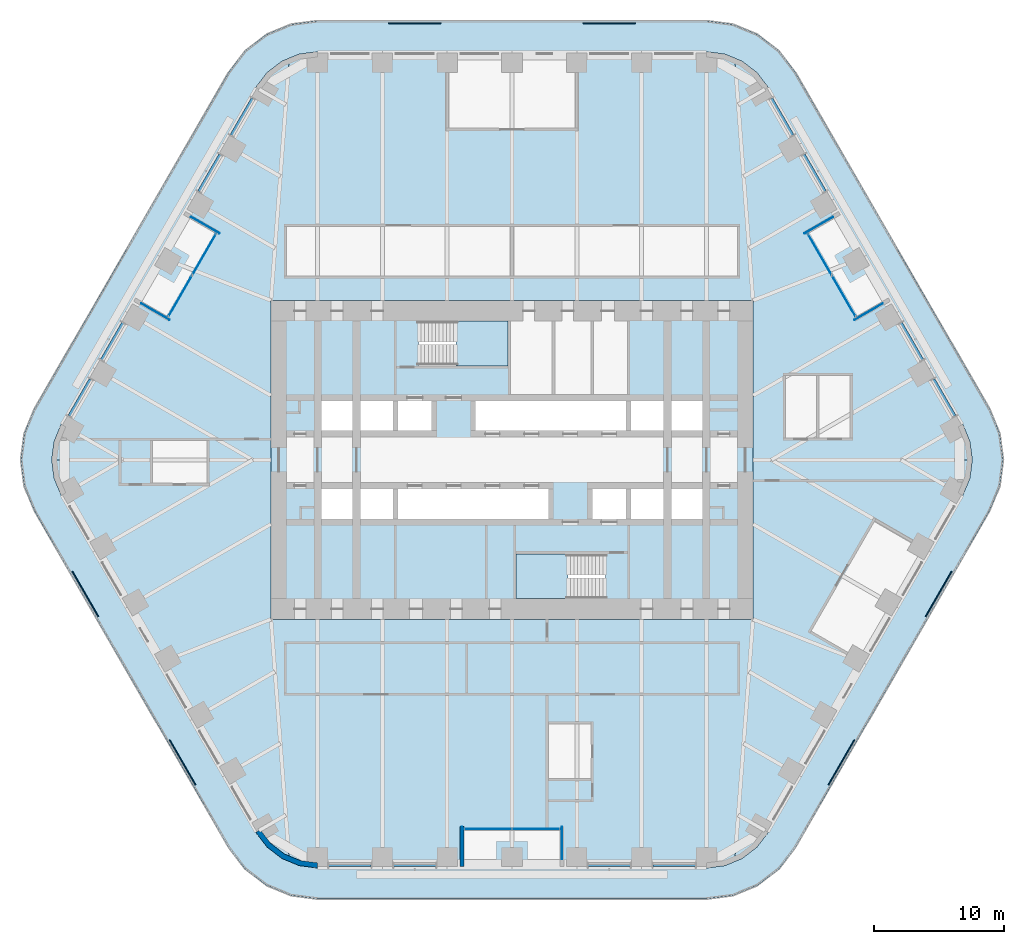
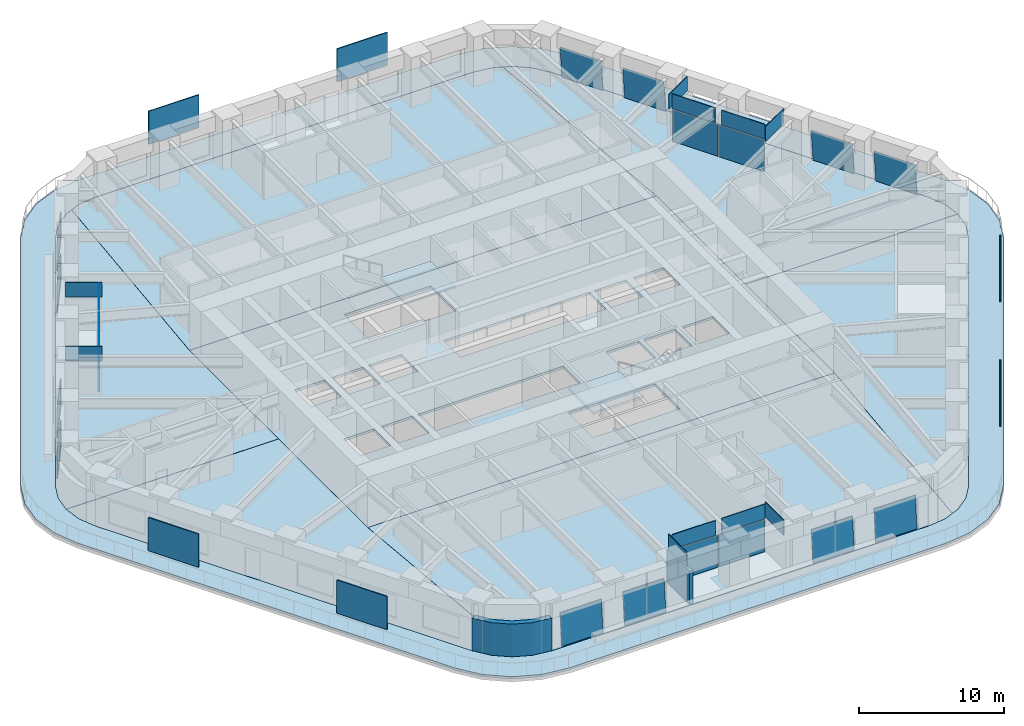
# One storey, part 16 of 24: 36 plates, 10 slabs, 2 walls, 17 elements without a shape of their own.
"""IFC4 building model written with IfcOpenShell, lengths in metres."""

from ifc_helpers import new_model, si_unit, direction, frame, frame_2d, origin, origin_2d, place, context, subcontext, project, spatial, polyline, rectangle, outline, extrude, material, layer, layer_set, type_object, element, aggregate, save


model = new_model("IFC4")

# Units and contexts
model_context = context("Model", 3, precision=1e-05, world=origin(), true_north=direction((0.0, 1.0)))
body_context = subcontext(model_context, "Body", "Model", "MODEL_VIEW")
ifc_project = project(units=[si_unit("LENGTHUNIT", "METRE"), si_unit("AREAUNIT", "SQUARE_METRE"), si_unit("VOLUMEUNIT", "CUBIC_METRE"), si_unit("PLANEANGLEUNIT", "RADIAN"), si_unit("MASSUNIT", "GRAM", prefix="KILO")], contexts=[model_context])

# Site, building, storey
site_placement = place(None, origin())
site = spatial("IfcSite", under=ifc_project, at=site_placement, CompositionType="ELEMENT")
building_placement = place(site_placement, origin())
building = spatial("IfcBuilding", under=site, at=building_placement, Name="Tarfa Lantern Tower", CompositionType="ELEMENT")
storey_placement = place(building_placement, frame((0.0, 0.0, 157.300048828125)))
storey = spatial("IfcBuildingStorey", under=building, at=storey_placement, Name="L35", CompositionType="ELEMENT", Elevation=157.300048828125)

# Slab
ifc_material_1 = material(Name="Concrete C40/50", Category="concrete")
ifc_layer_1 = layer(ifc_material_1, 0.199951171875)
ifc_layer_set_1 = layer_set([ifc_layer_1], Name="BS2 BALCONY SLAB 200")
slab_type_1 = type_object("IfcSlabType", Name="BS2 BALCONY SLAB 200", PredefinedType="FLOOR", material=ifc_layer_set_1)
slab_1_placement = place(storey_placement, frame((0.0, 0.0, -0.199951171875)))
element("IfcSlab", 1, at=slab_1_placement, inside=storey, type_object=slab_type_1, Name="Balcony L35", PredefinedType="FLOOR", context=body_context, shape_type="SweptSolid", body=[
    extrude(outline(polyline([(36.86376953125, 3.949951171875), (21.852783203125, 29.949951171875), (20.59716796875, 31.586181640625), (18.961181640625, 32.841552734375), (17.0556640625, 33.630859375), (15.010986328125, 33.89990234375), (-15.010986328125, 33.89990234375), (-17.0556640625, 33.630859375), (-18.961181640625, 32.841552734375), (-20.59716796875, 31.586181640625), (-21.852783203125, 29.949951171875), (-36.86376953125, 3.949951171875), (-37.653076171875, 2.044677734375), (-37.922119140625, 0.0), (-37.653076171875, -2.044677734375), (-36.86376953125, -3.949951171875), (-21.852783203125, -29.949951171875), (-20.59716796875, -31.586181640625), (-18.961181640625, -32.841552734375), (-17.0556640625, -33.630859375), (-15.010986328125, -33.89990234375), (15.010986328125, -33.89990234375), (17.0556640625, -33.630859375), (18.961181640625, -32.841552734375), (20.59716796875, -31.586181640625), (21.852783203125, -29.949951171875), (36.86376953125, -3.949951171875), (37.653076171875, -2.044677734375), (37.922119140625, 0.0), (37.653076171875, 2.044677734375), (36.86376953125, 3.949951171875)]), holes=[polyline([(34.785400390625, 2.75), (19.774169921875, 28.75), (18.900146484375, 29.88916015625), (17.760986328125, 30.76318359375), (16.4345703125, 31.3125), (15.010986328125, 31.5), (-15.010986328125, 31.5), (-16.4345703125, 31.3125), (-17.760986328125, 30.76318359375), (-18.900146484375, 29.88916015625), (-19.774169921875, 28.75), (-34.785400390625, 2.75), (-35.334716796875, 1.423583984375), (-35.522216796875, 0.0), (-35.334716796875, -1.423583984375), (-34.785400390625, -2.75), (-19.774169921875, -28.75), (-18.900146484375, -29.88916015625), (-17.760986328125, -30.76318359375), (-16.4345703125, -31.3125), (-15.010986328125, -31.5), (15.010986328125, -31.5), (16.4345703125, -31.3125), (17.760986328125, -30.76318359375), (18.900146484375, -29.88916015625), (19.774169921875, -28.75), (34.785400390625, -2.75), (35.334716796875, -1.423583984375), (35.522216796875, 0.0), (35.334716796875, 1.423583984375), (34.785400390625, 2.75)])]), origin(), (0.0, 0.0, 1.0), 0.199951171875),
])

# Curtain wall, plate
ifc_material_2 = material(Name="Aluminium framed curtain wall", Category="aluminium")
curtain_wall_type_1 = type_object("IfcCurtainWallType", Name="CW2 CANTED GLAZING MID ZONE 2750", PredefinedType="USERDEFINED", material=ifc_material_2)
curtain_wall_1_placement = place(storey_placement, origin())
curtain_wall_1 = element("IfcCurtainWall", 2, at=curtain_wall_1_placement, inside=storey, type_object=curtain_wall_type_1, Name="CW2 NE L35", ObjectType="CURTAIN WALL", PredefinedType="USERDEFINED")
ifc_material_3 = material(Name="Laminated double glazing", Category="glass")
ifc_layer_2 = layer(ifc_material_3, 0.028076171875)
ifc_layer_set_2 = layer_set([ifc_layer_2], Name="CWP1 DOUBLE GLAZED PANEL")
plate_type_1 = type_object("IfcPlateType", Name="CWP1 DOUBLE GLAZED PANEL", PredefinedType="CURTAIN_PANEL", material=ifc_layer_set_2)
plate_1_placement = place(storey_placement, frame((34.266357421875, 3.44921875, 0.0), z_axis=(0.862441677575, 0.497990996223, 0.09055009919), x_axis=(-0.500045231271, 0.865999287923, 0.0)))
plate_1 = element("IfcPlate", 3, at=plate_1_placement, type_object=plate_type_1, Name="CW2 panel 1.1", PredefinedType="CURTAIN_PANEL", context=body_context, shape_type="SweptSolid", body=[
    extrude(outline(polyline([(0.0, 0.0), (3.2736296403891254, -2.7755575615628914e-17), (3.273639290369484, 2.696134580088432), (9.64998035858606e-06, 2.696134580088432), (0.0, 0.0)])), origin(), (0.0, 0.0, -1.0), 0.028076171875),
])
aggregate(curtain_wall_1, [plate_1])

curtain_wall_2_placement = place(storey_placement, origin())
curtain_wall_2 = element("IfcCurtainWall", 4, at=curtain_wall_2_placement, inside=storey, type_object=curtain_wall_type_1, Name="CW2 NE L35", ObjectType="CURTAIN WALL", PredefinedType="USERDEFINED")
plate_2_placement = place(storey_placement, frame((31.764404296875, 7.782470703125, 0.0), z_axis=(0.862479387985, 0.497932752669, 0.090511209914), x_axis=(-0.499985201727, 0.866033947398, 2.910741e-06)))
plate_2 = element("IfcPlate", 5, at=plate_2_placement, type_object=plate_type_1, Name="CW2 panel 1.1", PredefinedType="CURTAIN_PANEL", context=body_context, shape_type="SweptSolid", body=[
    extrude(outline(polyline([(0.0, 0.0), (3.2738410665798376, 0.0), (3.273719542684435, 2.696115441250439), (5.428042382078573e-07, 2.696134578050012), (0.0, 0.0)])), origin(), (0.0, 0.0, -1.0), 0.028076171875),
])
aggregate(curtain_wall_2, [plate_2])

curtain_wall_3_placement = place(storey_placement, origin())
curtain_wall_3 = element("IfcCurtainWall", 6, at=curtain_wall_3_placement, inside=storey, type_object=curtain_wall_type_1, Name="CW2 NEB L35", ObjectType="CURTAIN WALL", PredefinedType="USERDEFINED")
plate_3_placement = place(storey_placement, frame((24.2587890625, 20.782470703125, 0.0), z_axis=(0.862492405459, 0.49790313323, 0.090550099086), x_axis=(-0.499957005835, 0.866050225054, 0.0)))
plate_3 = element("IfcPlate", 7, at=plate_3_placement, type_object=plate_type_1, Name="CW2 panel 1.1", PredefinedType="CURTAIN_PANEL", context=body_context, shape_type="SweptSolid", body=[
    extrude(outline(polyline([(0.0, 0.0), (3.273719001629088, 0.0), (3.2737037805661293, 2.6961345800627363), (-1.5221062958495346e-05, 2.6961345800627363), (0.0, 0.0)])), origin(), (0.0, 0.0, -1.0), 0.028076171875),
])
aggregate(curtain_wall_3, [plate_3])

curtain_wall_4_placement = place(storey_placement, origin())
curtain_wall_4 = element("IfcCurtainWall", 8, at=curtain_wall_4_placement, inside=storey, type_object=curtain_wall_type_1, Name="CW2 NEB L35", ObjectType="CURTAIN WALL", PredefinedType="USERDEFINED")
plate_4_placement = place(storey_placement, frame((21.757080078125, 25.11572265625, 0.0), z_axis=(0.862460247027, 0.49795883547, 0.09055009926), x_axis=(-0.500012937857, 0.86601793398, 0.0)))
plate_4 = element("IfcPlate", 9, at=plate_4_placement, type_object=plate_type_1, Name="CW2 panel 1.1", PredefinedType="CURTAIN_PANEL", context=body_context, shape_type="SweptSolid", body=[
    extrude(outline(polyline([(0.0, 0.0), (3.2738410682727324, -2.7755575615628914e-17), (3.27384161446276, 2.6961345801056464), (5.461900275667914e-07, 2.6961345801056464), (0.0, 0.0)])), origin(), (0.0, 0.0, -1.0), 0.028076171875),
])
aggregate(curtain_wall_4, [plate_4])

# Curtain wall, plates
curtain_wall_type_2 = type_object("IfcCurtainWallType", Name="CW10 LOGGIA GLAZING 2750", PredefinedType="USERDEFINED", material=ifc_material_2)
curtain_wall_5_placement = place(storey_placement, origin())
curtain_wall_5 = element("IfcCurtainWall", 10, at=curtain_wall_5_placement, inside=storey, type_object=curtain_wall_type_2, Name="CW10 NEL L35", ObjectType="CURTAIN WALL", PredefinedType="USERDEFINED")
plate_5_placement = place(storey_placement, frame((25.599609375, 12.660400390625, 0.0), z_axis=(0.0, 0.0, 1.0), x_axis=(-0.5, 0.866025403784, 0.0)))
plate_5 = element("IfcPlate", 11, at=plate_5_placement, type_object=plate_type_1, Name="CW10 panel 1.1", PredefinedType="CURTAIN_PANEL", context=body_context, shape_type="SweptSolid", body=[
    extrude(rectangle(XDim=3.606201171875, YDim=0.028076171875, at=origin_2d()), origin(), (0.0, 0.0, 1.0), 2.68505859375),
])
plate_6_placement = place(storey_placement, frame((23.763916015625, 15.839599609375, 0.0), z_axis=(0.0, 0.0, 1.0), x_axis=(-0.5, 0.866025403784, 0.0)))
plate_6 = element("IfcPlate", 12, at=plate_6_placement, type_object=plate_type_1, Name="CW10 panel 2.1", PredefinedType="CURTAIN_PANEL", context=body_context, shape_type="SweptSolid", body=[
    extrude(rectangle(XDim=3.606201171875, YDim=0.028076171875, at=origin_2d()), origin(), (0.0, 0.0, 1.0), 2.68505859375),
])
aggregate(curtain_wall_5, [plate_5, plate_6])

# Curtain wall, plate
curtain_wall_6_placement = place(storey_placement, origin())
curtain_wall_6 = element("IfcCurtainWall", 13, at=curtain_wall_6_placement, inside=storey, type_object=curtain_wall_type_1, Name="CW2 NW L35", ObjectType="CURTAIN WALL", PredefinedType="USERDEFINED")
plate_7_placement = place(storey_placement, frame((-20.1201171875, 27.950927734375, 0.0), z_axis=(-0.862460247027, 0.49795883547, 0.09055009926), x_axis=(-0.500012937857, -0.86601793398, 0.0)))
plate_7 = element("IfcPlate", 14, at=plate_7_placement, type_object=plate_type_1, Name="CW2 panel 1.1", PredefinedType="CURTAIN_PANEL", context=body_context, shape_type="SweptSolid", body=[
    extrude(outline(polyline([(0.0, 0.0), (3.2738410682727324, 2.7755575615628914e-17), (3.273840522082705, 2.6961345801056464), (-5.461900275667914e-07, 2.6961345801056464), (0.0, 0.0)])), origin(), (0.0, 0.0, -1.0), 0.028076171875),
])
aggregate(curtain_wall_6, [plate_7])

curtain_wall_7_placement = place(storey_placement, origin())
curtain_wall_7 = element("IfcCurtainWall", 15, at=curtain_wall_7_placement, inside=storey, type_object=curtain_wall_type_1, Name="CW2 NW L35", ObjectType="CURTAIN WALL", PredefinedType="USERDEFINED")
plate_8_placement = place(storey_placement, frame((-22.6220703125, 23.61767578125, 0.0), z_axis=(-0.862492405459, 0.49790313323, 0.090550099086), x_axis=(-0.499957005835, -0.866050225054, 0.0)))
plate_8 = element("IfcPlate", 16, at=plate_8_placement, type_object=plate_type_1, Name="CW2 panel 1.1", PredefinedType="CURTAIN_PANEL", context=body_context, shape_type="SweptSolid", body=[
    extrude(outline(polyline([(0.0, 0.0), (3.273719001629088, 0.0), (3.2737342226920463, 2.6961345800627363), (1.5221062958495346e-05, 2.6961345800627363), (0.0, 0.0)])), origin(), (0.0, 0.0, -1.0), 0.028076171875),
])
aggregate(curtain_wall_7, [plate_8])

curtain_wall_8_placement = place(storey_placement, origin())
curtain_wall_8 = element("IfcCurtainWall", 17, at=curtain_wall_8_placement, inside=storey, type_object=curtain_wall_type_1, Name="CW2 NWB L35", ObjectType="CURTAIN WALL", PredefinedType="USERDEFINED")
plate_9_placement = place(storey_placement, frame((-30.12744140625, 10.61767578125, 0.0), z_axis=(-0.862479387985, 0.497932752669, 0.090511209914), x_axis=(-0.499985201727, -0.866033947398, -2.910741e-06)))
plate_9 = element("IfcPlate", 18, at=plate_9_placement, type_object=plate_type_1, Name="CW2 panel 1.1", PredefinedType="CURTAIN_PANEL", context=body_context, shape_type="SweptSolid", body=[
    extrude(outline(polyline([(0.0, 0.0), (3.2738410665798376, 0.0), (3.2738405237755996, 2.696134578050012), (0.00012152389540222507, 2.6961154412504387), (0.0, 0.0)])), origin(), (0.0, 0.0, -1.0), 0.028076171875),
])
aggregate(curtain_wall_8, [plate_9])

curtain_wall_9_placement = place(storey_placement, origin())
curtain_wall_9 = element("IfcCurtainWall", 19, at=curtain_wall_9_placement, inside=storey, type_object=curtain_wall_type_1, Name="CW2 NWB L35", ObjectType="CURTAIN WALL", PredefinedType="USERDEFINED")
plate_10_placement = place(storey_placement, frame((-32.62939453125, 6.2841796875, 0.0), z_axis=(-0.862441677575, 0.497990996223, 0.09055009919), x_axis=(-0.500045231271, -0.865999287923, 0.0)))
plate_10 = element("IfcPlate", 20, at=plate_10_placement, type_object=plate_type_1, Name="CW2 panel 1.1", PredefinedType="CURTAIN_PANEL", context=body_context, shape_type="SweptSolid", body=[
    extrude(outline(polyline([(0.0, 0.0), (3.2736296403891254, 2.7755575615628914e-17), (3.273619990408767, 2.696134580088432), (-9.64998035858606e-06, 2.696134580088432), (0.0, 0.0)])), origin(), (0.0, 0.0, -1.0), 0.028076171875),
])
aggregate(curtain_wall_9, [plate_10])

# Curtain wall, plates
curtain_wall_10_placement = place(storey_placement, origin())
curtain_wall_10 = element("IfcCurtainWall", 21, at=curtain_wall_10_placement, inside=storey, type_object=curtain_wall_type_2, Name="CW10 NWL L35", ObjectType="CURTAIN WALL", PredefinedType="USERDEFINED")
plate_11_placement = place(storey_placement, frame((-23.763916015625, 15.839599609375, 0.0), z_axis=(0.0, 0.0, 1.0), x_axis=(-0.5, -0.866025403784, 0.0)))
plate_11 = element("IfcPlate", 22, at=plate_11_placement, type_object=plate_type_1, Name="CW10 panel 1.1", PredefinedType="CURTAIN_PANEL", context=body_context, shape_type="SweptSolid", body=[
    extrude(rectangle(XDim=3.606201171875, YDim=0.028076171875, at=origin_2d()), origin(), (0.0, 0.0, 1.0), 2.68505859375),
])
plate_12_placement = place(storey_placement, frame((-25.599609375, 12.660400390625, 0.0), z_axis=(0.0, 0.0, 1.0), x_axis=(-0.5, -0.866025403784, 0.0)))
plate_12 = element("IfcPlate", 23, at=plate_12_placement, type_object=plate_type_1, Name="CW10 panel 2.1", PredefinedType="CURTAIN_PANEL", context=body_context, shape_type="SweptSolid", body=[
    extrude(rectangle(XDim=3.606201171875, YDim=0.028076171875, at=origin_2d()), origin(), (0.0, 0.0, 1.0), 2.68505859375),
])
aggregate(curtain_wall_10, [plate_11, plate_12])

# Curtain wall, plate
curtain_wall_11_placement = place(storey_placement, origin())
curtain_wall_11 = element("IfcCurtainWall", 24, at=curtain_wall_11_placement, inside=storey, type_object=curtain_wall_type_1, Name="CW2 S L35", ObjectType="CURTAIN WALL", PredefinedType="USERDEFINED")
plate_13_placement = place(storey_placement, frame((-14.14599609375, -31.39990234375, 0.0), z_axis=(0.0, -0.995899883883, 0.090462264412), x_axis=(1.0, 0.0, 0.0)))
plate_13 = element("IfcPlate", 25, at=plate_13_placement, type_object=plate_type_1, Name="CW2 panel 1.1", PredefinedType="CURTAIN_PANEL", context=body_context, shape_type="SweptSolid", body=[
    extrude(outline(polyline([(0.0, 0.0), (3.273681640625, 0.0), (3.273681640625, 2.6961129699923947), (0.0, 2.6961129699923947), (0.0, 0.0)])), origin(), (0.0, 0.0, -1.0), 0.028076171875),
])
aggregate(curtain_wall_11, [plate_13])

curtain_wall_12_placement = place(storey_placement, origin())
curtain_wall_12 = element("IfcCurtainWall", 26, at=curtain_wall_12_placement, inside=storey, type_object=curtain_wall_type_1, Name="CW2 S L35", ObjectType="CURTAIN WALL", PredefinedType="USERDEFINED")
plate_14_placement = place(storey_placement, frame((-9.142333984375, -31.39990234375, 0.0), z_axis=(0.0, -0.995899883883, 0.090462264412), x_axis=(1.0, 0.0, 0.0)))
plate_14 = element("IfcPlate", 27, at=plate_14_placement, type_object=plate_type_1, Name="CW2 panel 1.1", PredefinedType="CURTAIN_PANEL", context=body_context, shape_type="SweptSolid", body=[
    extrude(outline(polyline([(0.0, 0.0), (3.273681640625, 0.0), (3.273681640625, 2.6961129699923947), (0.0, 2.6961129699923947), (0.0, 0.0)])), origin(), (0.0, 0.0, -1.0), 0.028076171875),
])
aggregate(curtain_wall_12, [plate_14])

curtain_wall_13_placement = place(storey_placement, origin())
curtain_wall_13 = element("IfcCurtainWall", 28, at=curtain_wall_13_placement, inside=storey, type_object=curtain_wall_type_1, Name="CW2 SB L35", ObjectType="CURTAIN WALL", PredefinedType="USERDEFINED")
plate_15_placement = place(storey_placement, frame((5.86865234375, -31.39990234375, 0.0), z_axis=(0.0, -0.995899883883, 0.090462264412), x_axis=(1.0, 0.0, 0.0)))
plate_15 = element("IfcPlate", 29, at=plate_15_placement, type_object=plate_type_1, Name="CW2 panel 1.1", PredefinedType="CURTAIN_PANEL", context=body_context, shape_type="SweptSolid", body=[
    extrude(outline(polyline([(0.0, 0.0), (3.273681640625, 0.0), (3.273681640625, 2.6961129699923947), (0.0, 2.6961129699923947), (0.0, 0.0)])), origin(), (0.0, 0.0, -1.0), 0.028076171875),
])
aggregate(curtain_wall_13, [plate_15])

curtain_wall_14_placement = place(storey_placement, origin())
curtain_wall_14 = element("IfcCurtainWall", 30, at=curtain_wall_14_placement, inside=storey, type_object=curtain_wall_type_1, Name="CW2 SB L35", ObjectType="CURTAIN WALL", PredefinedType="USERDEFINED")
plate_16_placement = place(storey_placement, frame((10.872314453125, -31.39990234375, 0.0), z_axis=(0.0, -0.995899883883, 0.090462264412), x_axis=(1.0, 0.0, 0.0)))
plate_16 = element("IfcPlate", 31, at=plate_16_placement, type_object=plate_type_1, Name="CW2 panel 1.1", PredefinedType="CURTAIN_PANEL", context=body_context, shape_type="SweptSolid", body=[
    extrude(outline(polyline([(0.0, 0.0), (3.273681640625, 0.0), (3.273681640625, 2.6961129699923947), (0.0, 2.6961129699923947), (0.0, 0.0)])), origin(), (0.0, 0.0, -1.0), 0.028076171875),
])
aggregate(curtain_wall_14, [plate_16])

# Curtain wall, plates
curtain_wall_15_placement = place(storey_placement, origin())
curtain_wall_15 = element("IfcCurtainWall", 32, at=curtain_wall_15_placement, inside=storey, type_object=curtain_wall_type_2, Name="CW10 SL L35", ObjectType="CURTAIN WALL", PredefinedType="USERDEFINED")
plate_17_placement = place(storey_placement, frame((-1.835693359375, -28.5, 0.0), z_axis=(0.0, 0.0, 1.0), x_axis=(1.0, 0.0, 0.0)))
plate_17 = element("IfcPlate", 33, at=plate_17_placement, type_object=plate_type_1, Name="CW10 panel 1.1", PredefinedType="CURTAIN_PANEL", context=body_context, shape_type="SweptSolid", body=[
    extrude(rectangle(XDim=3.606201171875, YDim=0.028076171875, at=origin_2d()), origin(), (0.0, 0.0, 1.0), 2.68505859375),
])
plate_18_placement = place(storey_placement, frame((1.835693359375, -28.5, 0.0), z_axis=(0.0, 0.0, 1.0), x_axis=(1.0, 0.0, 0.0)))
plate_18 = element("IfcPlate", 34, at=plate_18_placement, type_object=plate_type_1, Name="CW10 panel 2.1", PredefinedType="CURTAIN_PANEL", context=body_context, shape_type="SweptSolid", body=[
    extrude(rectangle(XDim=3.606201171875, YDim=0.028076171875, at=origin_2d()), origin(), (0.0, 0.0, 1.0), 2.68505859375),
])
aggregate(curtain_wall_15, [plate_17, plate_18])

# Slabs
ifc_layer_3 = layer(ifc_material_1, 0.199951171875)
ifc_layer_set_3 = layer_set([ifc_layer_3], Name="FS1 FLOOR SLAB 200")
slab_type_2 = type_object("IfcSlabType", Name="FS1 FLOOR SLAB 200", PredefinedType="FLOOR", material=ifc_layer_set_3)
slab_2_placement = place(storey_placement, frame((0.0, 0.0, -0.199951171875)))
element("IfcSlab", 35, at=slab_2_placement, inside=storey, type_object=slab_type_2, Name="Floor slab L35", PredefinedType="FLOOR", context=body_context, shape_type="SweptSolid", body=[
    extrude(outline(polyline([(-18.60009765625, -12.300048828125), (18.60009765625, -12.300048828125), (18.60009765625, 12.300048828125), (-18.60009765625, 12.300048828125), (-18.60009765625, -12.300048828125)]), holes=[polyline([(-14.699951171875, 2.25), (-12.300048828125, 2.25), (-12.300048828125, 4.550048828125), (-14.699951171875, 4.550048828125), (-14.699951171875, 2.25)]), polyline([(-11.699951171875, 2.25), (-9.199951171875, 2.25), (-9.199951171875, 4.550048828125), (-11.699951171875, 4.550048828125), (-11.699951171875, 2.25)]), polyline([(-8.800048828125, 2.25), (-6.199951171875, 2.25), (-6.199951171875, 4.550048828125), (-8.800048828125, 4.550048828125), (-8.800048828125, 2.25)]), polyline([(-2.800048828125, 2.25), (8.800048828125, 2.25), (8.800048828125, 4.550048828125), (-2.800048828125, 4.550048828125), (-2.800048828125, 2.25)]), polyline([(9.199951171875, 2.25), (11.699951171875, 2.25), (11.699951171875, 4.550048828125), (9.199951171875, 4.550048828125), (9.199951171875, 2.25)]), polyline([(12.300048828125, 2.25), (14.699951171875, 2.25), (14.699951171875, 4.550048828125), (12.300048828125, 4.550048828125), (12.300048828125, 2.25)]), polyline([(14.699951171875, -2.25), (12.300048828125, -2.25), (12.300048828125, -4.550048828125), (14.699951171875, -4.550048828125), (14.699951171875, -2.25)]), polyline([(11.699951171875, -2.25), (9.199951171875, -2.25), (9.199951171875, -4.550048828125), (11.699951171875, -4.550048828125), (11.699951171875, -2.25)]), polyline([(8.800048828125, -2.25), (6.199951171875, -2.25), (6.199951171875, -4.550048828125), (8.800048828125, -4.550048828125), (8.800048828125, -2.25)]), polyline([(2.800048828125, -2.25), (-8.800048828125, -2.25), (-8.800048828125, -4.550048828125), (2.800048828125, -4.550048828125), (2.800048828125, -2.25)]), polyline([(-9.199951171875, -2.25), (-11.699951171875, -2.25), (-11.699951171875, -4.550048828125), (-9.199951171875, -4.550048828125), (-9.199951171875, -2.25)]), polyline([(-12.300048828125, -2.25), (-14.699951171875, -2.25), (-14.699951171875, -4.550048828125), (-12.300048828125, -4.550048828125), (-12.300048828125, -2.25)]), polyline([(-7.199951171875, 7.25), (-0.300048828125, 7.25), (-0.300048828125, 10.699951171875), (-7.199951171875, 10.699951171875), (-7.199951171875, 7.25)]), polyline([(7.199951171875, -7.25), (0.300048828125, -7.25), (0.300048828125, -10.699951171875), (7.199951171875, -10.699951171875), (7.199951171875, -7.25)])]), origin(), (0.0, 0.0, 1.0), 0.199951171875),
])
slab_3_placement = place(storey_placement, frame((0.0, 0.0, -0.199951171875)))
element("IfcSlab", 36, at=slab_3_placement, inside=storey, type_object=slab_type_2, Name="Floor slab L35 NE bay", PredefinedType="FLOOR", context=body_context, shape_type="SweptSolid", body=[
    extrude(outline(polyline([(34.783447265625, 2.7490234375), (19.7724609375, 28.748779296875), (18.898681640625, 29.8876953125), (17.760009765625, 30.761474609375), (17.19189453125, 30.996826171875), (18.60205078125, 12.300048828125), (18.60205078125, 0.001953125), (35.52001953125, 0.001953125), (35.332763671875, 1.423095703125), (34.783447265625, 2.7490234375)])), origin(), (0.0, 0.0, 1.0), 0.199951171875),
])
slab_4_placement = place(storey_placement, frame((0.0, 0.0, -0.199951171875)))
element("IfcSlab", 37, at=slab_4_placement, inside=storey, type_object=slab_type_2, Name="Floor slab L35 N bay", PredefinedType="FLOOR", context=body_context, shape_type="SweptSolid", body=[
    extrude(outline(polyline([(-18.597900390625, 12.302001953125), (18.597900390625, 12.302001953125), (17.187744140625, 30.99853515625), (16.43408203125, 31.310546875), (15.010986328125, 31.498046875), (-15.010986328125, 31.498046875), (-16.43408203125, 31.310546875), (-17.187744140625, 30.99853515625), (-18.597900390625, 12.302001953125)])), origin(), (0.0, 0.0, 1.0), 0.199951171875),
])
slab_5_placement = place(storey_placement, frame((0.0, 0.0, -0.199951171875)))
element("IfcSlab", 38, at=slab_5_placement, inside=storey, type_object=slab_type_2, Name="Floor slab L35 NW bay", PredefinedType="FLOOR", context=body_context, shape_type="SweptSolid", body=[
    extrude(outline(polyline([(-18.60205078125, 0.001953125), (-18.60205078125, 12.300048828125), (-17.19189453125, 30.996826171875), (-17.760009765625, 30.761474609375), (-18.898681640625, 29.8876953125), (-19.7724609375, 28.748779296875), (-34.783447265625, 2.7490234375), (-35.332763671875, 1.423095703125), (-35.52001953125, 0.001953125), (-18.60205078125, 0.001953125)])), origin(), (0.0, 0.0, 1.0), 0.199951171875),
])
slab_6_placement = place(storey_placement, frame((0.0, 0.0, -0.199951171875)))
element("IfcSlab", 39, at=slab_6_placement, inside=storey, type_object=slab_type_2, Name="Floor slab L35 SW bay", PredefinedType="FLOOR", context=body_context, shape_type="SweptSolid", body=[
    extrude(outline(polyline([(-18.60205078125, -12.300048828125), (-18.60205078125, -0.001953125), (-35.52001953125, -0.001953125), (-35.332763671875, -1.423095703125), (-34.783447265625, -2.7490234375), (-19.7724609375, -28.748779296875), (-18.898681640625, -29.8876953125), (-17.760009765625, -30.761474609375), (-17.19189453125, -30.996826171875), (-18.60205078125, -12.300048828125)])), origin(), (0.0, 0.0, 1.0), 0.199951171875),
])
slab_7_placement = place(storey_placement, frame((0.0, 0.0, -0.199951171875)))
element("IfcSlab", 40, at=slab_7_placement, inside=storey, type_object=slab_type_2, Name="Floor slab L35 S bay", PredefinedType="FLOOR", context=body_context, shape_type="SweptSolid", body=[
    extrude(outline(polyline([(18.597900390625, -12.302001953125), (-18.597900390625, -12.302001953125), (-17.187744140625, -30.99853515625), (-16.43408203125, -31.310546875), (-15.010986328125, -31.498046875), (15.010986328125, -31.498046875), (16.43408203125, -31.310546875), (17.187744140625, -30.99853515625), (18.597900390625, -12.302001953125)])), origin(), (0.0, 0.0, 1.0), 0.199951171875),
])
slab_8_placement = place(storey_placement, frame((0.0, 0.0, -0.199951171875)))
element("IfcSlab", 41, at=slab_8_placement, inside=storey, type_object=slab_type_2, Name="Floor slab L35 SE bay", PredefinedType="FLOOR", context=body_context, shape_type="SweptSolid", body=[
    extrude(outline(polyline([(18.60205078125, -0.001953125), (18.60205078125, -12.300048828125), (17.19189453125, -30.996826171875), (17.760009765625, -30.761474609375), (18.898681640625, -29.8876953125), (19.7724609375, -28.748779296875), (34.783447265625, -2.7490234375), (35.332763671875, -1.423095703125), (35.52001953125, -0.001953125), (18.60205078125, -0.001953125)])), origin(), (0.0, 0.0, 1.0), 0.199951171875),
])

# Plates
ifc_material_4 = material(Name="Aluminium fascia panel", Category="aluminium")
ifc_layer_4 = layer(ifc_material_4, 0.050048828125)
ifc_layer_set_4 = layer_set([ifc_layer_4], Name="LF1 LOGGIA HEAD FASCIA 50")
plate_type_2 = type_object("IfcPlateType", Name="LF1 LOGGIA HEAD FASCIA 50", PredefinedType="USERDEFINED", material=ifc_layer_set_4)
for number, where, z_axis, x_axis, name in (
    (42, (25.670166015625, 12.5380859375, 2.75), (0.0, 0.0, 1.0), (-0.5, 0.866025403784, 0.0), "Loggia head fascia NE"),
    (43, (23.693359375, 15.9619140625, 2.75), (0.0, 0.0, 1.0), (-0.5, 0.866025403784, 0.0), "Loggia head fascia NE"),
):
    element("IfcPlate", number, at=place(storey_placement, frame(where, z_axis=z_axis, x_axis=x_axis)), inside=storey, type_object=plate_type_2, Name=name, ObjectType="FASCIA", PredefinedType="USERDEFINED", context=body_context, shape_type="SweptSolid", body=[
        extrude(rectangle(XDim=3.45361328125, YDim=0.050048828125, at=origin_2d()), origin(), (0.0, 0.0, 1.0), 1.25),
    ])
for number, where, z_axis, x_axis, name in (
    (44, (27.526611328125, 11.442626953125, 2.75), (0.0, 0.0, 1.0), (-0.866025403784, -0.5, 0.0), "Loggia head fascia NE"),
    (45, (23.6728515625, 18.117431640625, 2.75), (0.0, 0.0, 1.0), (-0.866025403784, -0.5, 0.0), "Loggia head fascia NE"),
):
    element("IfcPlate", number, at=place(storey_placement, frame(where, z_axis=z_axis, x_axis=x_axis)), inside=storey, type_object=plate_type_2, Name=name, ObjectType="FASCIA", PredefinedType="USERDEFINED", context=body_context, shape_type="SweptSolid", body=[
        extrude(rectangle(XDim=2.52001953125, YDim=0.050048828125, at=origin_2d()), origin(), (0.0, 0.0, 1.0), 1.25),
    ])
for number, where, z_axis, x_axis, name in (
    (46, (-23.693359375, 15.9619140625, 2.75), (0.0, 0.0, 1.0), (-0.5, -0.866025403784, 0.0), "Loggia head fascia NW"),
    (47, (-25.670166015625, 12.5380859375, 2.75), (0.0, 0.0, 1.0), (-0.5, -0.866025403784, 0.0), "Loggia head fascia NW"),
):
    element("IfcPlate", number, at=place(storey_placement, frame(where, z_axis=z_axis, x_axis=x_axis)), inside=storey, type_object=plate_type_2, Name=name, ObjectType="FASCIA", PredefinedType="USERDEFINED", context=body_context, shape_type="SweptSolid", body=[
        extrude(rectangle(XDim=3.45361328125, YDim=0.050048828125, at=origin_2d()), origin(), (0.0, 0.0, 1.0), 1.25),
    ])
for number, where, z_axis, x_axis, name in (
    (48, (-23.6728515625, 18.117431640625, 2.75), (0.0, 0.0, 1.0), (0.866025403784, -0.5, 0.0), "Loggia head fascia NW"),
    (49, (-27.526611328125, 11.442626953125, 2.75), (0.0, 0.0, 1.0), (0.866025403784, -0.5, 0.0), "Loggia head fascia NW"),
):
    element("IfcPlate", number, at=place(storey_placement, frame(where, z_axis=z_axis, x_axis=x_axis)), inside=storey, type_object=plate_type_2, Name=name, ObjectType="FASCIA", PredefinedType="USERDEFINED", context=body_context, shape_type="SweptSolid", body=[
        extrude(rectangle(XDim=2.52001953125, YDim=0.050048828125, at=origin_2d()), origin(), (0.0, 0.0, 1.0), 1.25),
    ])
for number, where, z_axis, x_axis, name in (
    (50, (-1.976806640625, -28.5, 2.75), (0.0, 0.0, 1.0), (1.0, 0.0, 0.0), "Loggia head fascia S"),
    (51, (1.976806640625, -28.5, 2.75), (0.0, 0.0, 1.0), (1.0, 0.0, 0.0), "Loggia head fascia S"),
):
    element("IfcPlate", number, at=place(storey_placement, frame(where, z_axis=z_axis, x_axis=x_axis)), inside=storey, type_object=plate_type_2, Name=name, ObjectType="FASCIA", PredefinedType="USERDEFINED", context=body_context, shape_type="SweptSolid", body=[
        extrude(rectangle(XDim=3.45361328125, YDim=0.050048828125, at=origin_2d()), origin(), (0.0, 0.0, 1.0), 1.25),
    ])
for number, where, z_axis, x_axis, name in (
    (52, (-3.853759765625, -29.56005859375, 2.75), (0.0, 0.0, 1.0), (0.0, 1.0, 0.0), "Loggia head fascia S"),
    (53, (3.853759765625, -29.56005859375, 2.75), (0.0, 0.0, 1.0), (0.0, 1.0, 0.0), "Loggia head fascia S"),
):
    element("IfcPlate", number, at=place(storey_placement, frame(where, z_axis=z_axis, x_axis=x_axis)), inside=storey, type_object=plate_type_2, Name=name, ObjectType="FASCIA", PredefinedType="USERDEFINED", context=body_context, shape_type="SweptSolid", body=[
        extrude(rectangle(XDim=2.52001953125, YDim=0.050048828125, at=origin_2d()), origin(), (0.0, 0.0, 1.0), 1.25),
    ])
ifc_material_5 = material(Name="Perforated limestone screen", Category="masonry")
ifc_layer_5 = layer(ifc_material_5, 0.080078125)
ifc_layer_set_5 = layer_set([ifc_layer_5], Name="SC1 STONE SCREEN 80")
plate_type_3 = type_object("IfcPlateType", Name="SC1 STONE SCREEN 80", PredefinedType="USERDEFINED", material=ifc_layer_set_5)
for number, where, z_axis, x_axis, name in (
    (54, (7.505615234375, 33.699951171875, 1.19970703125), (0.0, 0.0, 1.0), (-1.0, 0.0, 0.0), "Stone screen N 1"),
    (55, (-7.505615234375, 33.699951171875, 1.19970703125), (0.0, 0.0, 1.0), (-1.0, 0.0, 0.0), "Stone screen N 2"),
    (56, (-32.937744140625, -10.35009765625, 1.19970703125), (0.0, 0.0, 1.0), (0.5, -0.866025403784, 0.0), "Stone screen SW 1"),
    (57, (-25.432373046875, -23.35009765625, 1.19970703125), (0.0, 0.0, 1.0), (0.5, -0.866025403784, 0.0), "Stone screen SW 2"),
    (58, (25.432373046875, -23.35009765625, 1.19970703125), (0.0, 0.0, 1.0), (0.5, 0.866025403784, 0.0), "Stone screen SE 1"),
    (59, (32.937744140625, -10.35009765625, 1.19970703125), (0.0, 0.0, 1.0), (0.5, 0.866025403784, 0.0), "Stone screen SE 2"),
):
    element("IfcPlate", number, at=place(storey_placement, frame(where, z_axis=z_axis, x_axis=x_axis)), inside=storey, type_object=plate_type_3, Name=name, ObjectType="SCREEN", PredefinedType="USERDEFINED", context=body_context, shape_type="SweptSolid", body=[
        extrude(rectangle(XDim=4.0, YDim=0.080078125, at=origin_2d()), origin(), (0.0, 0.0, 1.0), 2.800048828125),
    ])

# Stair, slab
stair_type = type_object("IfcStairType", Name="ST-T10 HALF-TURN STAIR 4200 RISE", PredefinedType="HALF_TURN_STAIR", material=ifc_material_1)
stair_1_placement = place(storey_placement, origin())
stair_1 = element("IfcStair", 60, at=stair_1_placement, inside=storey, type_object=stair_type, Name="Stair ST1", PredefinedType="HALF_TURN_STAIR")
ifc_layer_6 = layer(ifc_material_1, 0.199951171875)
ifc_layer_set_6 = layer_set([ifc_layer_6], Name="SL1 STAIR LANDING 200")
slab_type_3 = type_object("IfcSlabType", Name="SL1 STAIR LANDING 200", PredefinedType="LANDING", material=ifc_layer_set_6)
slab_9_placement = place(storey_placement, frame((0.0, 0.0, 1.89990234375)))
slab_9 = element("IfcSlab", 61, at=slab_9_placement, type_object=slab_type_3, Name="ST1 landing 1", PredefinedType="LANDING", context=body_context, shape_type="SweptSolid", body=[
    extrude(outline(polyline([(-4.320068359375, 7.25), (-0.300048828125, 7.25), (-0.300048828125, 10.699951171875), (-4.320068359375, 10.699951171875), (-4.320068359375, 7.25)])), origin(), (0.0, 0.0, 1.0), 0.199951171875),
])
aggregate(stair_1, [slab_9])

stair_2_placement = place(storey_placement, origin())
stair_2 = element("IfcStair", 62, at=stair_2_placement, inside=storey, type_object=stair_type, Name="Stair ST2", PredefinedType="HALF_TURN_STAIR")
slab_10_placement = place(storey_placement, frame((0.0, 0.0, 1.89990234375)))
slab_10 = element("IfcSlab", 63, at=slab_10_placement, type_object=slab_type_3, Name="ST2 landing 1", PredefinedType="LANDING", context=body_context, shape_type="SweptSolid", body=[
    extrude(outline(polyline([(4.320068359375, -7.25), (0.300048828125, -7.25), (0.300048828125, -10.699951171875), (4.320068359375, -10.699951171875), (4.320068359375, -7.25)])), origin(), (0.0, 0.0, 1.0), 0.199951171875),
])
aggregate(stair_2, [slab_10])

# Walls
ifc_material_6 = material(Name="Limestone cladding on blockwork", Category="masonry")
ifc_layer_7 = layer(ifc_material_6, 0.300048828125)
ifc_layer_set_7 = layer_set([ifc_layer_7], Name="EW1 STONE-CLAD WALL 300")
wall_type_1 = type_object("IfcWallType", Name="EW1 STONE-CLAD WALL 300", PredefinedType="SOLIDWALL", material=ifc_layer_set_7)
wall_1_placement = place(storey_placement, frame((-3.853759765625, -31.39990234375, 0.0), z_axis=(0.0, 0.0, 1.0), x_axis=(0.0, 1.0, 0.0)))
element("IfcWall", 64, at=wall_1_placement, inside=storey, type_object=wall_type_1, Name="Loggia return S 1", PredefinedType="SOLIDWALL", context=body_context, shape_type="SweptSolid", body=[
    extrude(rectangle(XDim=3.099853515625, YDim=0.300048828125, at=frame_2d((1.5498046875, 0.0))), origin(), (0.0, 0.0, 1.0), 2.75),
])
ifc_layer_8 = layer(ifc_material_6, 0.39990234375)
ifc_layer_set_8 = layer_set([ifc_layer_8], Name="EW2 CURVED STONE CORNER 400")
wall_type_2 = type_object("IfcWallType", Name="EW2 CURVED STONE CORNER 400", PredefinedType="SOLIDWALL", material=ifc_layer_set_8)
wall_2_placement = place(storey_placement, origin())
element("IfcWall", 65, at=wall_2_placement, inside=storey, type_object=wall_type_2, Name="Stone corner SW-S", PredefinedType="SOLIDWALL", context=body_context, shape_type="SweptSolid", body=[
    extrude(outline(polyline([(-19.774169921875, -28.75), (-18.900146484375, -29.88916015625), (-17.760986328125, -30.76318359375), (-16.4345703125, -31.3125), (-15.010986328125, -31.5), (-15.010986328125, -31.10009765625), (-16.3310546875, -30.92626953125), (-17.56103515625, -30.416748046875), (-18.617431640625, -29.606201171875), (-19.427734375, -28.550048828125), (-19.774169921875, -28.75)])), origin(), (0.0, 0.0, 1.0), 2.75),
])

save(model, "model.ifc")
